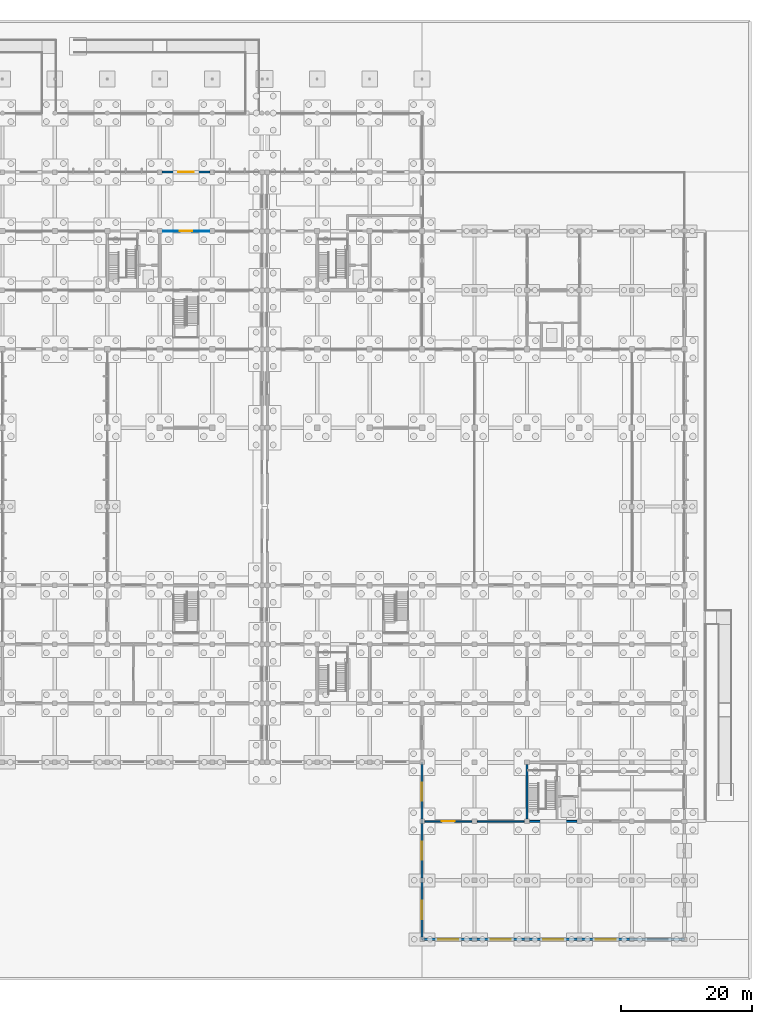
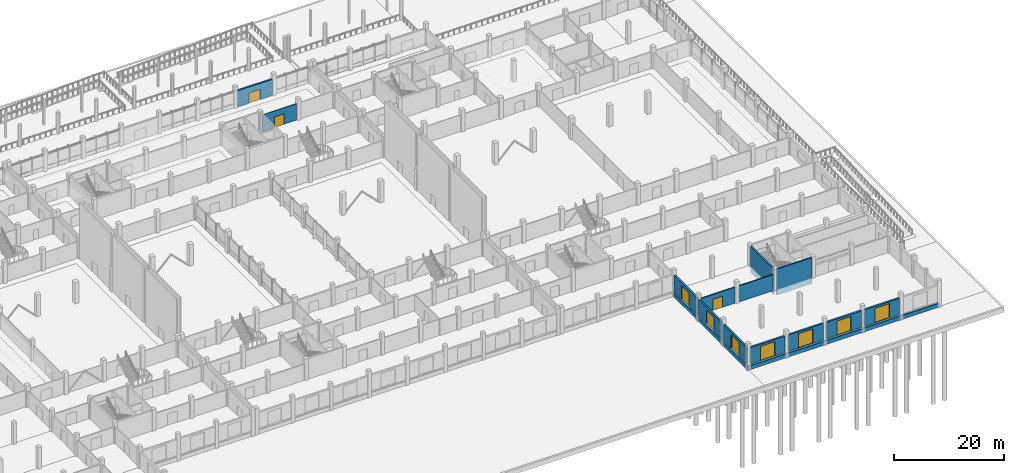
# One storey, part 51 of 72: 15 walls, 10 doors, 10 openings.
"""IFC4 building model written with IfcOpenShell, lengths in metres."""

from ifc_helpers import new_model, si_unit, direction, frame, frame_2d, origin, place, context, subcontext, project, spatial, rectangle, extrude, material, layer, layer_set, type_object, element, fill, save


model = new_model("IFC4")

# Units and contexts
model_context = context("Model", 3, precision=1e-05, world=origin(), true_north=direction((0.0, 1.0)))
body_context = subcontext(model_context, "Body", "Model", "MODEL_VIEW")
ifc_project = project(units=[si_unit("LENGTHUNIT", "METRE"), si_unit("AREAUNIT", "SQUARE_METRE"), si_unit("VOLUMEUNIT", "CUBIC_METRE"), si_unit("PLANEANGLEUNIT", "RADIAN"), si_unit("MASSUNIT", "GRAM", prefix="KILO"), si_unit("THERMODYNAMICTEMPERATUREUNIT", "KELVIN"), si_unit("POWERUNIT", "WATT")], contexts=[model_context])

# Site, building, storey
site_placement = place(None, origin())
site = spatial("IfcSite", under=ifc_project, at=site_placement, CompositionType="ELEMENT")
building_placement = place(site_placement, origin())
building = spatial("IfcBuilding", under=site, at=building_placement, Name="Kronsvod Quay Wholesale Market", CompositionType="ELEMENT")
storey_placement = place(building_placement, origin())
storey = spatial("IfcBuildingStorey", under=building, at=storey_placement, Name="L00", CompositionType="ELEMENT", Elevation=0.0)

# Wall, opening, door
ifc_material_1 = material(Name="Polyisocyanurate deep-freeze panel")
ifc_layer_1 = layer(ifc_material_1, 0.22998046875)
ifc_layer_set_1 = layer_set([ifc_layer_1], Name="Polyisocyanurate deep-freeze panel")
wall_type_1 = type_object("IfcWallType", Name="Wall_ColdFreezer230", PredefinedType="PARTITIONING", material=ifc_layer_set_1)
wall_1_placement = place(storey_placement, frame((152.419921875, 18.0, 0.0), z_axis=(0.0, 0.0, 1.0), x_axis=(1.0, 0.0, 0.0)))
wall_1 = element("IfcWall", 1, at=wall_1_placement, inside=storey, type_object=wall_type_1, Name="PW-L00-0049", PredefinedType="PARTITIONING", context=body_context, shape_type="SweptSolid", body=[
    extrude(rectangle(XDim=7.16015625, YDim=0.22998046875, at=frame_2d((3.580078125, 0.0))), origin(), (0.0, 0.0, 1.0), 3.550048828125),
])
opening_1_placement = place(wall_1_placement, frame((2.580078125, 0.0, 0.0)))
opening_1 = element("IfcOpeningElement", 2, at=opening_1_placement, cuts=wall_1, Name="Opening D-0156", PredefinedType="OPENING", context=body_context, shape_type="SweptSolid", body=[
    extrude(rectangle(XDim=2.0, YDim=2.5, at=frame_2d((1.0, 1.25))), frame((0.0, 0.125, 0.0), z_axis=(0.0, -1.0, 0.0), x_axis=(1.0, 0.0, 0.0)), (0.0, 0.0, 1.0), 0.25),
])
ifc_material_2 = material(Name="Heated-frame deep-freeze sliding door", Category="steel")
door_type_1 = type_object("IfcDoorType", Name="Door_FreezerSlide200x250", OperationType="SLIDING_TO_LEFT", PredefinedType="DOOR", material=ifc_material_2)
door_1_placement = place(opening_1_placement, origin())
door_1 = element("IfcDoor", 3, at=door_1_placement, inside=storey, type_object=door_type_1, Name="Interior Door D-0156", OperationType="SLIDING_TO_LEFT", OverallHeight=2.5, OverallWidth=2.0, PredefinedType="DOOR", context=body_context, shape_type="SweptSolid", body=[
    extrude(rectangle(XDim=2.0, YDim=2.5, at=frame_2d((1.0, 1.25))), frame((0.0, 0.02490234375, 0.0), z_axis=(0.0, -1.0, 0.0), x_axis=(1.0, 0.0, 0.0)), (0.0, 0.0, 1.0), 0.050048828125),
])
fill(opening_1, door_1)

# Walls
wall_2_placement = place(storey_placement, frame((160.419921875, 18.0, 0.0), z_axis=(0.0, 0.0, 1.0), x_axis=(1.0, 0.0, 0.0)))
element("IfcWall", 4, at=wall_2_placement, inside=storey, type_object=wall_type_1, Name="PW-L00-0050", PredefinedType="PARTITIONING", context=body_context, shape_type="SweptSolid", body=[
    extrude(rectangle(XDim=7.16015625, YDim=0.22998046875, at=frame_2d((3.580078125, 0.0))), origin(), (0.0, 0.0, 1.0), 3.550048828125),
])
ifc_material_3 = material(Name="Concrete C35/45", Category="concrete")
ifc_layer_2 = layer(ifc_material_3, 0.300048828125)
ifc_layer_set_2 = layer_set([ifc_layer_2], Name="Concrete C35/45")
wall_type_2 = type_object("IfcWallType", Name="Wall_CoreShear300", PredefinedType="SHEAR", material=ifc_layer_set_2)
wall_3_placement = place(storey_placement, frame((168.344970703125, 18.0, -1.25), z_axis=(0.0, 0.0, 1.0), x_axis=(1.0, 0.0, 0.0)))
element("IfcWall", 5, at=wall_3_placement, inside=storey, type_object=wall_type_2, Name="CW-C06-L00-S", PredefinedType="SHEAR", context=body_context, shape_type="SweptSolid", body=[
    extrude(rectangle(XDim=7.31005859375, YDim=0.300048828125, at=frame_2d((3.655029296875, 0.0))), origin(), (0.0, 0.0, 1.0), 5.7548828125),
])
wall_4_placement = place(storey_placement, frame((168.0, 18.344970703125, -1.25), z_axis=(0.0, 0.0, 1.0), x_axis=(0.0, 1.0, 0.0)))
element("IfcWall", 6, at=wall_4_placement, inside=storey, type_object=wall_type_2, Name="CW-C06-L00-W", PredefinedType="SHEAR", context=body_context, shape_type="SweptSolid", body=[
    extrude(rectangle(XDim=8.31005859375, YDim=0.300048828125, at=frame_2d((4.155029296875, 0.0))), origin(), (0.0, 0.0, 1.0), 5.7548828125),
])

# Wall, opening, door
ifc_material_4 = material(Name="Precast concrete C40/50", Category="concrete")
ifc_layer_3 = layer(ifc_material_4, 0.340087890625)
ifc_layer_set_3 = layer_set([ifc_layer_3], Name="Precast concrete C40/50")
wall_type_3 = type_object("IfcWallType", Name="Wall_ExtColdSandwich340", PredefinedType="SOLIDWALL", material=ifc_layer_set_3)
wall_5_placement = place(storey_placement, frame((152.0, 8.655029296875, 0.0), z_axis=(0.0, 0.0, 1.0), x_axis=(0.0, -1.0, 0.0)))
wall_5 = element("IfcWall", 7, at=wall_5_placement, inside=storey, type_object=wall_type_3, Name="EW-Y-L00-0088", PredefinedType="SOLIDWALL", context=body_context, shape_type="SweptSolid", body=[
    extrude(rectangle(XDim=8.31005859375, YDim=0.340087890625, at=frame_2d((4.155029296875, 0.0))), origin(), (0.0, 0.0, 1.0), 3.64990234375),
])
opening_2_placement = place(wall_5_placement, frame((2.7548828125, 0.0, 0.0)))
opening_2 = element("IfcOpeningElement", 8, at=opening_2_placement, cuts=wall_5, Name="Opening ED-045", PredefinedType="OPENING", context=body_context, shape_type="SweptSolid", body=[
    extrude(rectangle(XDim=2.800048828125, YDim=3.0, at=frame_2d((1.39990234375, 1.5))), frame((0.0, 0.18017578125, 0.0), z_axis=(0.0, -1.0, 0.0), x_axis=(1.0, 0.0, 0.0)), (0.0, 0.0, 1.0), 0.360107421875),
])
ifc_material_5 = material(Name="Insulated galvanized steel sectional shutter", Category="steel")
door_type_2 = type_object("IfcDoorType", Name="Door_DockShutter280x300", OperationType="ROLLINGUP", PredefinedType="GATE", material=ifc_material_5)
door_2_placement = place(opening_2_placement, origin())
door_2 = element("IfcDoor", 9, at=door_2_placement, inside=storey, type_object=door_type_2, Name="Loading Dock Door ED-045", OperationType="ROLLINGUP", OverallHeight=3.0, OverallWidth=2.800048828125, PredefinedType="GATE", context=body_context, shape_type="SweptSolid", body=[
    extrude(rectangle(XDim=2.800048828125, YDim=3.0, at=frame_2d((1.39990234375, 1.5))), frame((0.0, 0.02490234375, 0.0), z_axis=(0.0, -1.0, 0.0), x_axis=(1.0, 0.0, 0.0)), (0.0, 0.0, 1.0), 0.050048828125),
])
fill(opening_2, door_2)

wall_6_placement = place(storey_placement, frame((152.0, 17.655029296875, 0.0), z_axis=(0.0, 0.0, 1.0), x_axis=(0.0, -1.0, 0.0)))
wall_6 = element("IfcWall", 10, at=wall_6_placement, inside=storey, type_object=wall_type_3, Name="EW-Y-L00-0089", PredefinedType="SOLIDWALL", context=body_context, shape_type="SweptSolid", body=[
    extrude(rectangle(XDim=8.31005859375, YDim=0.340087890625, at=frame_2d((4.155029296875, 0.0))), origin(), (0.0, 0.0, 1.0), 3.64990234375),
])
opening_3_placement = place(wall_6_placement, frame((2.7548828125, 0.0, 0.0)))
opening_3 = element("IfcOpeningElement", 11, at=opening_3_placement, cuts=wall_6, Name="Opening ED-046", PredefinedType="OPENING", context=body_context, shape_type="SweptSolid", body=[
    extrude(rectangle(XDim=2.800048828125, YDim=3.0, at=frame_2d((1.39990234375, 1.5))), frame((0.0, 0.18017578125, 0.0), z_axis=(0.0, -1.0, 0.0), x_axis=(1.0, 0.0, 0.0)), (0.0, 0.0, 1.0), 0.360107421875),
])
door_3_placement = place(opening_3_placement, origin())
door_3 = element("IfcDoor", 12, at=door_3_placement, inside=storey, type_object=door_type_2, Name="Loading Dock Door ED-046", OperationType="ROLLINGUP", OverallHeight=3.0, OverallWidth=2.800048828125, PredefinedType="GATE", context=body_context, shape_type="SweptSolid", body=[
    extrude(rectangle(XDim=2.800048828125, YDim=3.0, at=frame_2d((1.39990234375, 1.5))), frame((0.0, 0.02490234375, 0.0), z_axis=(0.0, -1.0, 0.0), x_axis=(1.0, 0.0, 0.0)), (0.0, 0.0, 1.0), 0.050048828125),
])
fill(opening_3, door_3)

wall_7_placement = place(storey_placement, frame((152.0, 26.655029296875, 0.0), z_axis=(0.0, 0.0, 1.0), x_axis=(0.0, -1.0, 0.0)))
wall_7 = element("IfcWall", 13, at=wall_7_placement, inside=storey, type_object=wall_type_3, Name="EW-Y-L00-0090", PredefinedType="SOLIDWALL", context=body_context, shape_type="SweptSolid", body=[
    extrude(rectangle(XDim=8.31005859375, YDim=0.340087890625, at=frame_2d((4.155029296875, 0.0))), origin(), (0.0, 0.0, 1.0), 3.64990234375),
])
opening_4_placement = place(wall_7_placement, frame((2.7548828125, 0.0, 0.0)))
opening_4 = element("IfcOpeningElement", 14, at=opening_4_placement, cuts=wall_7, Name="Opening ED-047", PredefinedType="OPENING", context=body_context, shape_type="SweptSolid", body=[
    extrude(rectangle(XDim=2.800048828125, YDim=3.0, at=frame_2d((1.39990234375, 1.5))), frame((0.0, 0.18017578125, 0.0), z_axis=(0.0, -1.0, 0.0), x_axis=(1.0, 0.0, 0.0)), (0.0, 0.0, 1.0), 0.360107421875),
])
door_4_placement = place(opening_4_placement, origin())
door_4 = element("IfcDoor", 15, at=door_4_placement, inside=storey, type_object=door_type_2, Name="Loading Dock Door ED-047", OperationType="ROLLINGUP", OverallHeight=3.0, OverallWidth=2.800048828125, PredefinedType="GATE", context=body_context, shape_type="SweptSolid", body=[
    extrude(rectangle(XDim=2.800048828125, YDim=3.0, at=frame_2d((1.39990234375, 1.5))), frame((0.0, 0.02490234375, 0.0), z_axis=(0.0, -1.0, 0.0), x_axis=(1.0, 0.0, 0.0)), (0.0, 0.0, 1.0), 0.050048828125),
])
fill(opening_4, door_4)

ifc_material_6 = material(Name="Precast concrete C40/50", Category="concrete")
ifc_layer_4 = layer(ifc_material_6, 0.3798828125)
ifc_layer_set_4 = layer_set([ifc_layer_4], Name="Precast concrete C40/50")
wall_type_4 = type_object("IfcWallType", Name="Wall_ExtColdSandwich380", PredefinedType="SOLIDWALL", material=ifc_layer_set_4)
wall_8_placement = place(storey_placement, frame((152.344970703125, 0.0, 0.0), z_axis=(0.0, 0.0, 1.0), x_axis=(1.0, 0.0, 0.0)))
wall_8 = element("IfcWall", 16, at=wall_8_placement, inside=storey, type_object=wall_type_4, Name="EW-X-L00-0065", PredefinedType="SOLIDWALL", context=body_context, shape_type="SweptSolid", body=[
    extrude(rectangle(XDim=7.31005859375, YDim=0.3798828125, at=frame_2d((3.655029296875, 0.0))), origin(), (0.0, 0.0, 1.0), 3.64990234375),
])
opening_5_placement = place(wall_8_placement, frame((2.155029296875, 0.0, 0.0)))
opening_5 = element("IfcOpeningElement", 17, at=opening_5_placement, cuts=wall_8, Name="Opening ED-032", PredefinedType="OPENING", context=body_context, shape_type="SweptSolid", body=[
    extrude(rectangle(XDim=3.0, YDim=3.199951171875, at=frame_2d((1.5, 1.60009765625))), frame((0.0, 0.199951171875, 0.0), z_axis=(0.0, -1.0, 0.0), x_axis=(1.0, 0.0, 0.0)), (0.0, 0.0, 1.0), 0.39990234375),
])
ifc_material_7 = material(Name="Insulated galvanized steel sectional shutter", Category="steel")
door_type_3 = type_object("IfcDoorType", Name="Door_DockShutter300x320", OperationType="ROLLINGUP", PredefinedType="GATE", material=ifc_material_7)
door_5_placement = place(opening_5_placement, origin())
door_5 = element("IfcDoor", 18, at=door_5_placement, inside=storey, type_object=door_type_3, Name="Loading Dock Door ED-032", OperationType="ROLLINGUP", OverallHeight=3.199951171875, OverallWidth=3.0, PredefinedType="GATE", context=body_context, shape_type="SweptSolid", body=[
    extrude(rectangle(XDim=3.0, YDim=3.199951171875, at=frame_2d((1.5, 1.60009765625))), frame((0.0, 0.02490234375, 0.0), z_axis=(0.0, -1.0, 0.0), x_axis=(1.0, 0.0, 0.0)), (0.0, 0.0, 1.0), 0.050048828125),
])
fill(opening_5, door_5)

wall_9_placement = place(storey_placement, frame((160.344970703125, 0.0, 0.0), z_axis=(0.0, 0.0, 1.0), x_axis=(1.0, 0.0, 0.0)))
wall_9 = element("IfcWall", 19, at=wall_9_placement, inside=storey, type_object=wall_type_4, Name="EW-X-L00-0066", PredefinedType="SOLIDWALL", context=body_context, shape_type="SweptSolid", body=[
    extrude(rectangle(XDim=7.31005859375, YDim=0.3798828125, at=frame_2d((3.655029296875, 0.0))), origin(), (0.0, 0.0, 1.0), 3.64990234375),
])
opening_6_placement = place(wall_9_placement, frame((2.155029296875, 0.0, 0.0)))
opening_6 = element("IfcOpeningElement", 20, at=opening_6_placement, cuts=wall_9, Name="Opening ED-033", PredefinedType="OPENING", context=body_context, shape_type="SweptSolid", body=[
    extrude(rectangle(XDim=3.0, YDim=3.199951171875, at=frame_2d((1.5, 1.60009765625))), frame((0.0, 0.199951171875, 0.0), z_axis=(0.0, -1.0, 0.0), x_axis=(1.0, 0.0, 0.0)), (0.0, 0.0, 1.0), 0.39990234375),
])
door_6_placement = place(opening_6_placement, origin())
door_6 = element("IfcDoor", 21, at=door_6_placement, inside=storey, type_object=door_type_3, Name="Loading Dock Door ED-033", OperationType="ROLLINGUP", OverallHeight=3.199951171875, OverallWidth=3.0, PredefinedType="GATE", context=body_context, shape_type="SweptSolid", body=[
    extrude(rectangle(XDim=3.0, YDim=3.199951171875, at=frame_2d((1.5, 1.60009765625))), frame((0.0, 0.02490234375, 0.0), z_axis=(0.0, -1.0, 0.0), x_axis=(1.0, 0.0, 0.0)), (0.0, 0.0, 1.0), 0.050048828125),
])
fill(opening_6, door_6)

wall_10_placement = place(storey_placement, frame((168.344970703125, 0.0, 0.0), z_axis=(0.0, 0.0, 1.0), x_axis=(1.0, 0.0, 0.0)))
wall_10 = element("IfcWall", 22, at=wall_10_placement, inside=storey, type_object=wall_type_4, Name="EW-X-L00-0067", PredefinedType="SOLIDWALL", context=body_context, shape_type="SweptSolid", body=[
    extrude(rectangle(XDim=7.31005859375, YDim=0.3798828125, at=frame_2d((3.655029296875, 0.0))), origin(), (0.0, 0.0, 1.0), 3.64990234375),
])
opening_7_placement = place(wall_10_placement, frame((2.155029296875, 0.0, 0.0)))
opening_7 = element("IfcOpeningElement", 23, at=opening_7_placement, cuts=wall_10, Name="Opening ED-034", PredefinedType="OPENING", context=body_context, shape_type="SweptSolid", body=[
    extrude(rectangle(XDim=3.0, YDim=3.199951171875, at=frame_2d((1.5, 1.60009765625))), frame((0.0, 0.199951171875, 0.0), z_axis=(0.0, -1.0, 0.0), x_axis=(1.0, 0.0, 0.0)), (0.0, 0.0, 1.0), 0.39990234375),
])
door_7_placement = place(opening_7_placement, origin())
door_7 = element("IfcDoor", 24, at=door_7_placement, inside=storey, type_object=door_type_3, Name="Loading Dock Door ED-034", OperationType="ROLLINGUP", OverallHeight=3.199951171875, OverallWidth=3.0, PredefinedType="GATE", context=body_context, shape_type="SweptSolid", body=[
    extrude(rectangle(XDim=3.0, YDim=3.199951171875, at=frame_2d((1.5, 1.60009765625))), frame((0.0, 0.02490234375, 0.0), z_axis=(0.0, -1.0, 0.0), x_axis=(1.0, 0.0, 0.0)), (0.0, 0.0, 1.0), 0.050048828125),
])
fill(opening_7, door_7)

wall_11_placement = place(storey_placement, frame((176.344970703125, 0.0, 0.0), z_axis=(0.0, 0.0, 1.0), x_axis=(1.0, 0.0, 0.0)))
wall_11 = element("IfcWall", 25, at=wall_11_placement, inside=storey, type_object=wall_type_4, Name="EW-X-L00-0068", PredefinedType="SOLIDWALL", context=body_context, shape_type="SweptSolid", body=[
    extrude(rectangle(XDim=7.31005859375, YDim=0.3798828125, at=frame_2d((3.655029296875, 0.0))), origin(), (0.0, 0.0, 1.0), 3.64990234375),
])
opening_8_placement = place(wall_11_placement, frame((2.155029296875, 0.0, 0.0)))
opening_8 = element("IfcOpeningElement", 26, at=opening_8_placement, cuts=wall_11, Name="Opening ED-035", PredefinedType="OPENING", context=body_context, shape_type="SweptSolid", body=[
    extrude(rectangle(XDim=3.0, YDim=3.199951171875, at=frame_2d((1.5, 1.60009765625))), frame((0.0, 0.199951171875, 0.0), z_axis=(0.0, -1.0, 0.0), x_axis=(1.0, 0.0, 0.0)), (0.0, 0.0, 1.0), 0.39990234375),
])
door_8_placement = place(opening_8_placement, origin())
door_8 = element("IfcDoor", 27, at=door_8_placement, inside=storey, type_object=door_type_3, Name="Loading Dock Door ED-035", OperationType="ROLLINGUP", OverallHeight=3.199951171875, OverallWidth=3.0, PredefinedType="GATE", context=body_context, shape_type="SweptSolid", body=[
    extrude(rectangle(XDim=3.0, YDim=3.199951171875, at=frame_2d((1.5, 1.60009765625))), frame((0.0, 0.02490234375, 0.0), z_axis=(0.0, -1.0, 0.0), x_axis=(1.0, 0.0, 0.0)), (0.0, 0.0, 1.0), 0.050048828125),
])
fill(opening_8, door_8)

ifc_material_8 = material(Name="Precast concrete C40/50", Category="concrete")
ifc_layer_5 = layer(ifc_material_8, 0.320068359375)
ifc_layer_set_5 = layer_set([ifc_layer_5], Name="Precast concrete C40/50")
wall_type_5 = type_object("IfcWallType", Name="Wall_ExtPrecast320", PredefinedType="SOLIDWALL", material=ifc_layer_set_5)
wall_12_placement = place(storey_placement, frame((119.655029296875, 117.0, 0.0), z_axis=(0.0, 0.0, 1.0), x_axis=(-1.0, 0.0, 0.0)))
wall_12 = element("IfcWall", 28, at=wall_12_placement, inside=storey, type_object=wall_type_5, Name="EW-X-L00-0046", PredefinedType="SOLIDWALL", context=body_context, shape_type="SweptSolid", body=[
    extrude(rectangle(XDim=7.31005859375, YDim=0.320068359375, at=frame_2d((3.655029296875, 0.0))), origin(), (0.0, 0.0, 1.0), 3.64990234375),
])
opening_9_placement = place(wall_12_placement, frame((2.455078125, 0.0, 0.0)))
opening_9 = element("IfcOpeningElement", 29, at=opening_9_placement, cuts=wall_12, Name="Opening ED-031", PredefinedType="OPENING", context=body_context, shape_type="SweptSolid", body=[
    extrude(rectangle(XDim=2.39990234375, YDim=2.300048828125, at=frame_2d((1.199951171875, 1.14990234375))), frame((0.0, 0.169921875, 0.0), z_axis=(0.0, -1.0, 0.0), x_axis=(1.0, 0.0, 0.0)), (0.0, 0.0, 1.0), 0.340087890625),
])
ifc_material_9 = material(Name="Aluminium and safety glass", Category="aluminium")
door_type_4 = type_object("IfcDoorType", Name="Door_ExitDouble240x230", OperationType="DOUBLE_DOOR_SINGLE_SWING", PredefinedType="DOOR", material=ifc_material_9)
door_9_placement = place(opening_9_placement, frame((2.39990234375, 0.0, 0.0), z_axis=(0.0, 0.0, 1.0), x_axis=(-1.0, 0.0, 0.0)))
door_9 = element("IfcDoor", 30, at=door_9_placement, inside=storey, type_object=door_type_4, Name="Harbour Colonnade Exit Door ED-031", OperationType="DOUBLE_DOOR_SINGLE_SWING", OverallHeight=2.300048828125, OverallWidth=2.39990234375, PredefinedType="DOOR", context=body_context, shape_type="SweptSolid", body=[
    extrude(rectangle(XDim=2.39990234375, YDim=2.300048828125, at=frame_2d((1.199951171875, 1.14990234375))), frame((0.0, 0.02490234375, 0.0), z_axis=(0.0, -1.0, 0.0), x_axis=(1.0, 0.0, 0.0)), (0.0, 0.0, 1.0), 0.050048828125),
])
fill(opening_9, door_9)

ifc_material_10 = material(Name="Framed acoustic glass hall partition", Category="glass")
ifc_layer_6 = layer(ifc_material_10, 0.114990234375)
ifc_layer_set_6 = layer_set([ifc_layer_6], Name="Framed acoustic glass hall partition")
wall_type_6 = type_object("IfcWallType", Name="Wall_PartGlazed115", PredefinedType="PARTITIONING", material=ifc_layer_set_6)
wall_13_placement = place(storey_placement, frame((112.419921875, 108.0, 0.0), z_axis=(0.0, 0.0, 1.0), x_axis=(1.0, 0.0, 0.0)))
wall_13 = element("IfcWall", 31, at=wall_13_placement, inside=storey, type_object=wall_type_6, Name="PW-L00-0146", PredefinedType="PARTITIONING", context=body_context, shape_type="SweptSolid", body=[
    extrude(rectangle(XDim=7.16015625, YDim=0.114990234375, at=frame_2d((3.580078125, 0.0))), origin(), (0.0, 0.0, 1.0), 3.64990234375),
])
opening_10_placement = place(wall_13_placement, frame((2.60498046875, 0.0, 0.0)))
opening_10 = element("IfcOpeningElement", 32, at=opening_10_placement, cuts=wall_13, Name="Opening D-0208", PredefinedType="OPENING", context=body_context, shape_type="SweptSolid", body=[
    extrude(rectangle(XDim=1.949951171875, YDim=2.300048828125, at=frame_2d((0.97509765625, 1.14990234375))), frame((0.0, 0.0673828125, 0.0), z_axis=(0.0, -1.0, 0.0), x_axis=(1.0, 0.0, 0.0)), (0.0, 0.0, 1.0), 0.135009765625),
])
ifc_material_11 = material(Name="Glazed aluminium hall portal", Category="aluminium")
door_type_5 = type_object("IfcDoorType", Name="Door_HallPortal195x230", OperationType="DOUBLE_DOOR_SINGLE_SWING", PredefinedType="DOOR", material=ifc_material_11)
door_10_placement = place(opening_10_placement, origin())
door_10 = element("IfcDoor", 33, at=door_10_placement, inside=storey, type_object=door_type_5, Name="Interior Door D-0208", OperationType="DOUBLE_DOOR_SINGLE_SWING", OverallHeight=2.300048828125, OverallWidth=1.949951171875, PredefinedType="DOOR", context=body_context, shape_type="SweptSolid", body=[
    extrude(rectangle(XDim=1.949951171875, YDim=2.300048828125, at=frame_2d((0.97509765625, 1.14990234375))), frame((0.0, 0.02490234375, 0.0), z_axis=(0.0, -1.0, 0.0), x_axis=(1.0, 0.0, 0.0)), (0.0, 0.0, 1.0), 0.050048828125),
])
fill(opening_10, door_10)

# Walls
ifc_material_12 = material(Name="Precast concrete C40/50", Category="concrete")
ifc_layer_7 = layer(ifc_material_12, 0.35009765625)
ifc_layer_set_7 = layer_set([ifc_layer_7], Name="Precast concrete C40/50")
wall_type_7 = type_object("IfcWallType", Name="Wall_PlinthSkirt350", PredefinedType="STANDARD", material=ifc_layer_set_7)
wall_14_placement = place(storey_placement, frame((152.0, 0.0, -1.25), z_axis=(0.0, 0.0, 1.0), x_axis=(0.0, 1.0, 0.0)))
element("IfcWall", 34, at=wall_14_placement, inside=storey, type_object=wall_type_7, Name="RW-YE", PredefinedType="STANDARD", context=body_context, shape_type="SweptSolid", body=[
    extrude(rectangle(XDim=27.0, YDim=0.35009765625, at=frame_2d((13.5, 0.0))), origin(), (0.0, 0.0, 1.0), 0.89990234375),
])
ifc_material_13 = material(Name="Precast concrete C40/50", Category="concrete")
ifc_layer_8 = layer(ifc_material_13, 0.39990234375)
ifc_layer_set_8 = layer_set([ifc_layer_8], Name="Precast concrete C40/50")
wall_type_8 = type_object("IfcWallType", Name="Wall_PlinthSkirt400", PredefinedType="STANDARD", material=ifc_layer_set_8)
wall_15_placement = place(storey_placement, frame((152.0, 0.0, -1.25), z_axis=(0.0, 0.0, 1.0), x_axis=(1.0, 0.0, 0.0)))
element("IfcWall", 35, at=wall_15_placement, inside=storey, type_object=wall_type_8, Name="RW-SE", PredefinedType="STANDARD", context=body_context, shape_type="SweptSolid", body=[
    extrude(rectangle(XDim=40.0, YDim=0.39990234375, at=frame_2d((20.0, 0.0))), origin(), (0.0, 0.0, 1.0), 0.89990234375),
])

save(model, "model.ifc")
